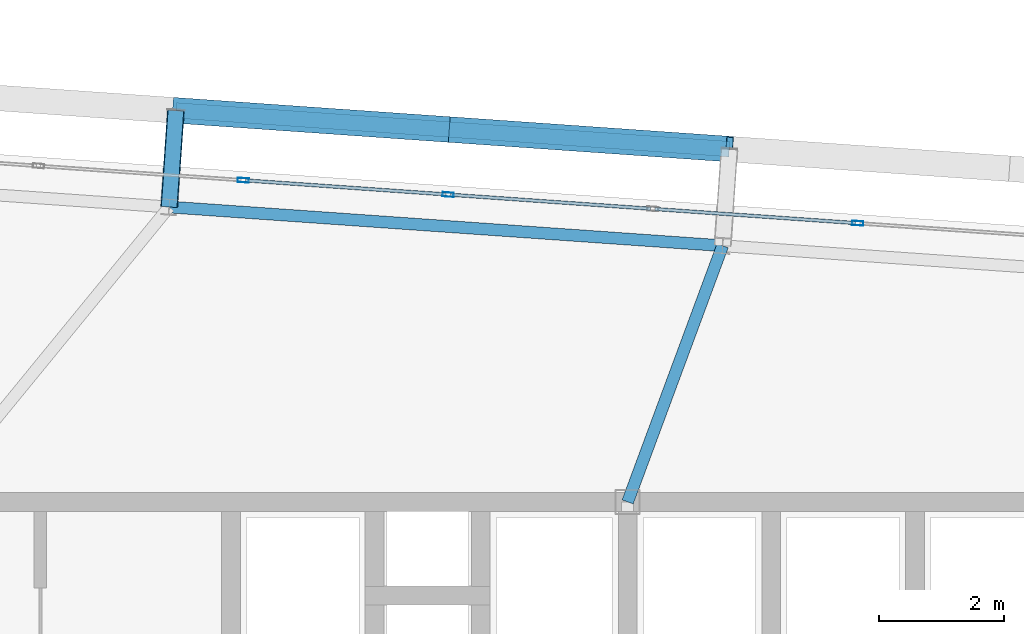
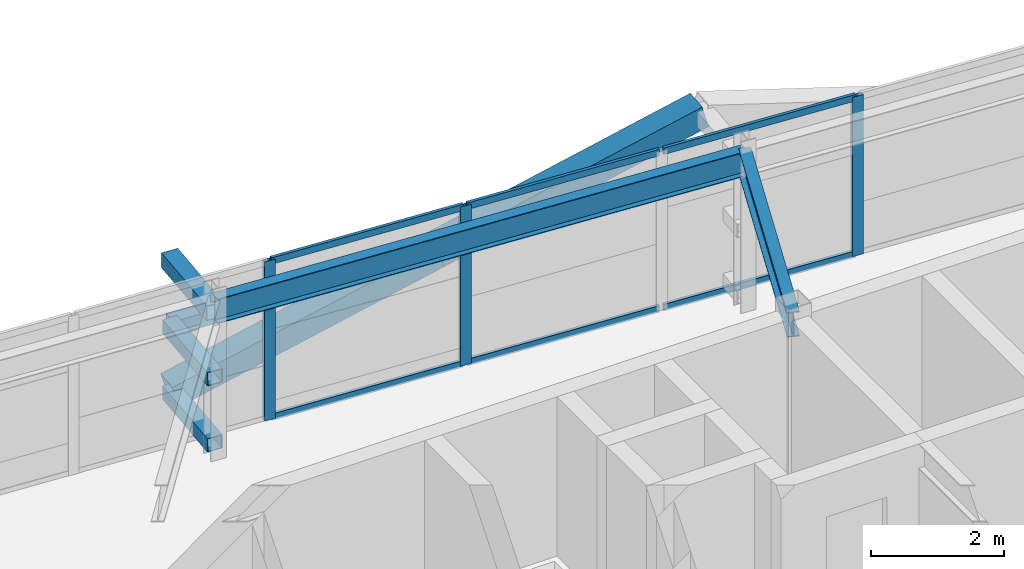
# One storey, part 28 of 47: 15 members, 2 beams, 1 element without a shape of its own.
"""IFC4 building model written with IfcOpenShell, lengths in metres."""

from ifc_helpers import new_model, si_unit, direction, frame, origin, origin_2d, place, context, subcontext, project, spatial, hollow_rectangle, i_section, extrude, source, transform, mapped, material, layer, layer_set, material_profile, profile_set, type_object, element, aggregate, save


model = new_model("IFC4")

# Units and contexts
model_context = context("Model", 3, precision=1e-05, world=origin(), true_north=direction((0.0, 1.0)))
body_context = subcontext(model_context, "Body", "Model", "MODEL_VIEW")
ifc_project = project(units=[si_unit("LENGTHUNIT", "METRE"), si_unit("AREAUNIT", "SQUARE_METRE"), si_unit("VOLUMEUNIT", "CUBIC_METRE"), si_unit("PLANEANGLEUNIT", "RADIAN"), si_unit("MASSUNIT", "GRAM", prefix="KILO")], contexts=[model_context])

# Site, building, storey
site_placement = place(None, origin())
site = spatial("IfcSite", under=ifc_project, at=site_placement, CompositionType="ELEMENT")
building_placement = place(site_placement, origin())
building = spatial("IfcBuilding", under=site, at=building_placement, Name="Taldren Reach Tower", CompositionType="ELEMENT")
storey_placement = place(building_placement, frame((0.0, 0.0, 139.300048828125)))
storey = spatial("IfcBuildingStorey", under=building, at=storey_placement, Name="L42", CompositionType="ELEMENT", Elevation=139.300048828125)

# Members
ifc_material_1 = material(Name="Steel Gr 450 (C450L0)", Category="steel")
ifc_material_profile_1 = material_profile(ifc_material_1, hollow_rectangle(XDim=0.27490234375, YDim=0.27490234375, WallThickness=0.00927734375, at=origin_2d()), Name="275x275x9.3SHS")
ifc_profile_set_1 = profile_set([ifc_material_profile_1], Name="Steel Gr 450 (C450L0)")
member_type_1 = type_object("IfcMemberType", Name="MB-TIE273", PredefinedType="STRUT", material=ifc_profile_set_1)
shared_shape_1 = source(origin(), body_context, "Body", "SweptSolid", [
    extrude(hollow_rectangle(XDim=0.27490234375, YDim=0.27490234375, WallThickness=0.00927734375, at=origin_2d()), origin(), (0.0, 0.0, 1.0), 1.5498046875),
])
member_1_placement = place(storey_placement, frame((31.861328125, 36.719970703125, 2.64990234375), z_axis=(0.069780535098, 0.997562367434, 0.0), x_axis=(-0.997562367434, 0.069780535098, 0.0)))
element("IfcMember", 1, at=member_1_placement, inside=storey, type_object=member_type_1, Name="Exoskeleton diaphragm tie strut B3-N3 L42", PredefinedType="STRUT", context=body_context, shape_type="MappedRepresentation", body=[
    mapped(shared_shape_1, transform((0.0, 0.0, 0.0), scale=1.0)),
])
ifc_material_2 = material(Name="Steel Gr 350 (C350L0)", Category="steel")
ifc_material_profile_2 = material_profile(ifc_material_2, hollow_rectangle(XDim=0.25, YDim=0.25, WallThickness=0.010009765625, at=origin_2d()), Name="250x250x10.0SHS")
ifc_profile_set_2 = profile_set([ifc_material_profile_2], Name="Steel Gr 350 (C350L0)")
member_type_2 = type_object("IfcMemberType", Name="MB-POST250", PredefinedType="POST", material=ifc_profile_set_2)
shared_shape_2 = source(origin(), body_context, "Body", "SweptSolid", [
    extrude(hollow_rectangle(XDim=0.25, YDim=0.25, WallThickness=0.010009765625, at=origin_2d()), origin(), (0.0, 0.0, 1.0), 1.5498046875),
])
for number, where, z_axis, x_axis, name in (
    (2, (31.861328125, 36.719970703125, 0.219970703125), (0.069780535098, 0.997562367434, 0.0), (-0.997562367434, 0.069780535098, 0.0), "Exoskeleton base diaphragm tie strut B3-N3 L42"),
    (3, (31.861328125, 36.719970703125, 1.43505859375), (0.069780535098, 0.997562367434, 0.0), (-0.997562367434, 0.069780535098, 0.0), "Exoskeleton mid-tier diaphragm tie B3-N3 L42"),
):
    element("IfcMember", number, at=place(storey_placement, frame(where, z_axis=z_axis, x_axis=x_axis)), inside=storey, type_object=member_type_2, Name=name, PredefinedType="POST", context=body_context, shape_type="MappedRepresentation", body=[
        mapped(shared_shape_2, transform((0.0, 0.0, 0.0), scale=1.0)),
    ])

# Beams
ifc_material_3 = material(Name="Steel Gr 350 (350PLUS)", Category="steel")
ifc_material_profile_3 = material_profile(ifc_material_3, i_section(OverallWidth=0.18994140625, OverallDepth=0.4541015625, WebThickness=0.008544921875, FlangeThickness=0.0126953125, at=origin_2d()), Name="460UB67.1")
ifc_profile_set_3 = profile_set([ifc_material_profile_3], Name="Steel Gr 350 (350PLUS)")
beam_type_1 = type_object("IfcBeamType", Name="SP-UB460B", PredefinedType="SPANDREL", material=ifc_profile_set_3)
shared_shape_3 = source(origin(), body_context, "Body", "SweptSolid", [
    extrude(i_section(OverallWidth=0.18994140625, OverallDepth=0.4541015625, WebThickness=0.008544921875, FlangeThickness=0.0126953125, at=origin_2d()), origin(), (0.0, 0.0, 1.0), 8.880126953125),
])
beam_1_placement = place(storey_placement, frame((40.7197265625, 36.100341796875, 2.702880859375), z_axis=(-0.997562566276, 0.06977769246, 0.0), x_axis=(-0.06977769246, -0.997562566276, 0.0)))
element("IfcBeam", 4, at=beam_1_placement, inside=storey, type_object=beam_type_1, Name="Perimeter spandrel B3 N4-N3 L42", PredefinedType="SPANDREL", context=body_context, shape_type="MappedRepresentation", body=[
    mapped(shared_shape_3, transform((0.0, 0.0, 0.0), scale=1.0)),
])
ifc_material_profile_4 = material_profile(ifc_material_3, i_section(OverallWidth=0.19091796875, OverallDepth=0.4599609375, WebThickness=0.010009765625, FlangeThickness=0.01611328125, at=origin_2d()), Name="460UB82.1")
ifc_profile_set_4 = profile_set([ifc_material_profile_4], Name="Steel Gr 350 (350PLUS)")
beam_type_2 = type_object("IfcBeamType", Name="BM-UB460A", PredefinedType="BEAM", material=ifc_profile_set_4)
shared_shape_4 = source(origin(), body_context, "Body", "SweptSolid", [
    extrude(i_section(OverallWidth=0.19091796875, OverallDepth=0.4599609375, WebThickness=0.010009765625, FlangeThickness=0.01611328125, at=origin_2d()), origin(), (0.0, 0.0, 1.0), 4.373046875),
])
beam_2_placement = place(storey_placement, frame((39.199951171875, 32.0, 2.699951171875), z_axis=(0.347541638975, 0.937664550454, 0.0), x_axis=(-0.937664550454, 0.347541638975, 0.0)))
element("IfcBeam", 5, at=beam_2_placement, inside=storey, type_object=beam_type_2, Name="Primary floor girder B3-N4 L42", PredefinedType="BEAM", context=body_context, shape_type="MappedRepresentation", body=[
    mapped(shared_shape_4, transform((0.0, 0.0, 0.0), scale=1.0)),
])

# Members
shared_shape_5 = source(origin(), body_context, "Body", "SweptSolid", [
    extrude(hollow_rectangle(XDim=0.25, YDim=0.25, WallThickness=0.010009765625, at=origin_2d()), origin(), (0.0, 0.0, 1.0), 8.880126953125),
])
member_2_placement = place(storey_placement, frame((31.969482421875, 38.26611328125, 1.43505859375), z_axis=(0.997564479639, -0.069750333063, 0.0), x_axis=(0.069750333063, 0.997564479639, 0.0)))
element("IfcMember", 6, at=member_2_placement, inside=storey, type_object=member_type_2, Name="Exoskeleton mid-height ring chord B3-N3 L42", PredefinedType="POST", context=body_context, shape_type="MappedRepresentation", body=[
    mapped(shared_shape_5, transform((0.0, 0.0, 0.0), scale=1.0)),
])
ifc_material_profile_5 = material_profile(ifc_material_1, hollow_rectangle(XDim=0.409912109375, YDim=0.409912109375, WallThickness=0.01611328125, at=origin_2d()), Name="410x410x16.0SHS")
ifc_profile_set_5 = profile_set([ifc_material_profile_5], Name="Steel Gr 450 (C450L0)")
member_type_3 = type_object("IfcMemberType", Name="MB-EXO406", PredefinedType="BRACE", material=ifc_profile_set_5)
shared_shape_6 = source(origin(), body_context, "Body", "SweptSolid", [
    extrude(hollow_rectangle(XDim=0.409912109375, YDim=0.409912109375, WallThickness=0.01611328125, at=origin_2d()), origin(), (0.0, 0.0, 1.0), 4.603271484375),
])
for number, where, z_axis, x_axis, name in (
    (7, (31.969482421875, 38.26611328125, 0.219970703125), (0.962182351074, -0.067302910567, 0.263961060594), (0.06977769246, 0.997562566276, 0.0), "Exoskeleton Diagrid Brace B3-N3 L42"),
    (8, (36.398681640625, 37.956298828125, 1.43505859375), (0.962199253371, -0.067251055742, 0.263912660389), (0.069722973508, 0.997566392259, 0.0), "Exoskeleton Diagrid Brace B3-N3 L42"),
):
    element("IfcMember", number, at=place(storey_placement, frame(where, z_axis=z_axis, x_axis=x_axis)), inside=storey, type_object=member_type_3, Name=name, PredefinedType="BRACE", context=body_context, shape_type="MappedRepresentation", body=[
        mapped(shared_shape_6, transform((0.0, 0.0, 0.0), scale=1.0)),
    ])

# Curtain wall, members
ifc_material_4 = material(Name="Aluminium and Low-E Glass Unitised System", Category="aluminium")
ifc_layer = layer(ifc_material_4, 0.159912109375)
ifc_layer_set = layer_set([ifc_layer], Name="Aluminium and Low-E Glass Unitised System")
curtain_wall_type = type_object("IfcCurtainWallType", Name="CW-SYS-4", PredefinedType="NOTDEFINED", material=ifc_layer_set)
curtain_wall_placement = place(storey_placement, origin())
curtain_wall = element("IfcCurtainWall", 9, at=curtain_wall_placement, inside=storey, type_object=curtain_wall_type, Name="Unitised curtain wall CW-L42-N", PredefinedType="NOTDEFINED")
ifc_material_5 = material(Name="Anodised Aluminium 6063-T6", Category="aluminium")
ifc_material_profile_6 = material_profile(ifc_material_5, hollow_rectangle(XDim=0.070068359375, YDim=0.179931640625, WallThickness=0.00390625, at=origin_2d()), Name="ALU-180x70x4RHS")
ifc_profile_set_6 = profile_set([ifc_material_profile_6], Name="Anodised Aluminium 6063-T6")
member_type_4 = type_object("IfcMemberType", Name="CW-MUL-180", PredefinedType="MULLION", material=ifc_profile_set_6)
shared_shape_7 = source(origin(), body_context, "Body", "SweptSolid", [
    extrude(hollow_rectangle(XDim=0.070068359375, YDim=0.179931640625, WallThickness=0.00390625, at=origin_2d()), origin(), (0.0, 0.0, 1.0), 2.929931640625),
])
member_3_placement = place(storey_placement, frame((42.881591796875, 36.46044921875, 0.0), z_axis=(0.0, 0.0, 1.0), x_axis=(-0.06975651593, -0.99756404731, 0.0)))
member_3 = element("IfcMember", 10, at=member_3_placement, type_object=member_type_4, Name="CW-4 mullion 6", PredefinedType="MULLION", context=body_context, shape_type="MappedRepresentation", body=[
    mapped(shared_shape_7, transform((0.0, 0.0, 0.0), scale=1.0)),
])
member_4_placement = place(storey_placement, frame((36.326171875, 36.9189453125, 0.0), z_axis=(0.0, 0.0, 1.0), x_axis=(-0.06975651593, -0.99756404731, 0.0)))
member_4 = element("IfcMember", 11, at=member_4_placement, type_object=member_type_4, Name="CW-4 mullion 8", PredefinedType="MULLION", context=body_context, shape_type="MappedRepresentation", body=[
    mapped(shared_shape_7, transform((0.0, 0.0, 0.0), scale=1.0)),
])
member_5_placement = place(storey_placement, frame((33.04833984375, 37.148193359375, 0.0), z_axis=(0.0, 0.0, 1.0), x_axis=(-0.06975651593, -0.99756404731, 0.0)))
member_5 = element("IfcMember", 12, at=member_5_placement, type_object=member_type_4, Name="CW-4 mullion 9", PredefinedType="MULLION", context=body_context, shape_type="MappedRepresentation", body=[
    mapped(shared_shape_7, transform((0.0, 0.0, 0.0), scale=1.0)),
])
ifc_material_profile_7 = material_profile(ifc_material_5, hollow_rectangle(XDim=0.054931640625, YDim=0.1201171875, WallThickness=0.0029296875, at=origin_2d()), Name="ALU-120x55x3RHS")
ifc_profile_set_7 = profile_set([ifc_material_profile_7], Name="Anodised Aluminium 6063-T6")
member_type_5 = type_object("IfcMemberType", Name="CW-TRN-135", PredefinedType="USERDEFINED", material=ifc_profile_set_7)
shared_shape_8 = source(origin(), body_context, "Body", "SweptSolid", [
    extrude(hollow_rectangle(XDim=0.054931640625, YDim=0.1201171875, WallThickness=0.0029296875, at=origin_2d()), origin(), (0.0, 0.0, 1.0), 3.2158203125),
])
member_6_placement = place(storey_placement, frame((42.8466796875, 36.462890625, 0.02734375), z_axis=(-0.997563195991, 0.069768689278, 0.0), x_axis=(-0.069768689278, -0.997563195991, 0.0)))
member_6 = element("IfcMember", 13, at=member_6_placement, type_object=member_type_5, Name="CW-4 transom 6.1", ObjectType="TRANSOM", PredefinedType="USERDEFINED", context=body_context, shape_type="MappedRepresentation", body=[
    mapped(shared_shape_8, transform((0.0, 0.0, 0.0), scale=1.0)),
])
member_7_placement = place(storey_placement, frame((42.8466796875, 36.462890625, 2.90234375), z_axis=(-0.997563195991, 0.069768689278, 0.0), x_axis=(-0.069768689278, -0.997563195991, 0.0)))
member_7 = element("IfcMember", 14, at=member_7_placement, type_object=member_type_5, Name="CW-4 transom 6.2", ObjectType="TRANSOM", PredefinedType="USERDEFINED", context=body_context, shape_type="MappedRepresentation", body=[
    mapped(shared_shape_8, transform((0.0, 0.0, 0.0), scale=1.0)),
])
member_8_placement = place(storey_placement, frame((36.291259765625, 36.92138671875, 0.02734375), z_axis=(-0.997563195991, 0.069768689278, 0.0), x_axis=(-0.069768689278, -0.997563195991, 0.0)))
member_8 = element("IfcMember", 15, at=member_8_placement, type_object=member_type_5, Name="CW-4 transom 8.1", ObjectType="TRANSOM", PredefinedType="USERDEFINED", context=body_context, shape_type="MappedRepresentation", body=[
    mapped(shared_shape_8, transform((0.0, 0.0, 0.0), scale=1.0)),
])
member_9_placement = place(storey_placement, frame((36.291259765625, 36.92138671875, 2.90234375), z_axis=(-0.997563195991, 0.069768689278, 0.0), x_axis=(-0.069768689278, -0.997563195991, 0.0)))
member_9 = element("IfcMember", 16, at=member_9_placement, type_object=member_type_5, Name="CW-4 transom 8.2", ObjectType="TRANSOM", PredefinedType="USERDEFINED", context=body_context, shape_type="MappedRepresentation", body=[
    mapped(shared_shape_8, transform((0.0, 0.0, 0.0), scale=1.0)),
])
shared_shape_9 = source(origin(), body_context, "Body", "SweptSolid", [
    extrude(hollow_rectangle(XDim=0.054931640625, YDim=0.1201171875, WallThickness=0.0029296875, at=origin_2d()), origin(), (0.0, 0.0, 1.0), 3.215576171875),
])
member_10_placement = place(storey_placement, frame((39.56884765625, 36.692138671875, 0.02734375), z_axis=(-0.997562826405, 0.069773973473, 0.0), x_axis=(-0.069773973473, -0.997562826405, 0.0)))
member_10 = element("IfcMember", 17, at=member_10_placement, type_object=member_type_5, Name="CW-4 transom 7.1", ObjectType="TRANSOM", PredefinedType="USERDEFINED", context=body_context, shape_type="MappedRepresentation", body=[
    mapped(shared_shape_9, transform((0.0, 0.0, 0.0), scale=1.0)),
])
member_11_placement = place(storey_placement, frame((39.56884765625, 36.692138671875, 2.90234375), z_axis=(-0.997562826405, 0.069773973473, 0.0), x_axis=(-0.069773973473, -0.997562826405, 0.0)))
member_11 = element("IfcMember", 18, at=member_11_placement, type_object=member_type_5, Name="CW-4 transom 7.2", ObjectType="TRANSOM", PredefinedType="USERDEFINED", context=body_context, shape_type="MappedRepresentation", body=[
    mapped(shared_shape_9, transform((0.0, 0.0, 0.0), scale=1.0)),
])
aggregate(curtain_wall, [member_3, member_4, member_5, member_6, member_7, member_10, member_11, member_8, member_9])

save(model, "model.ifc")
